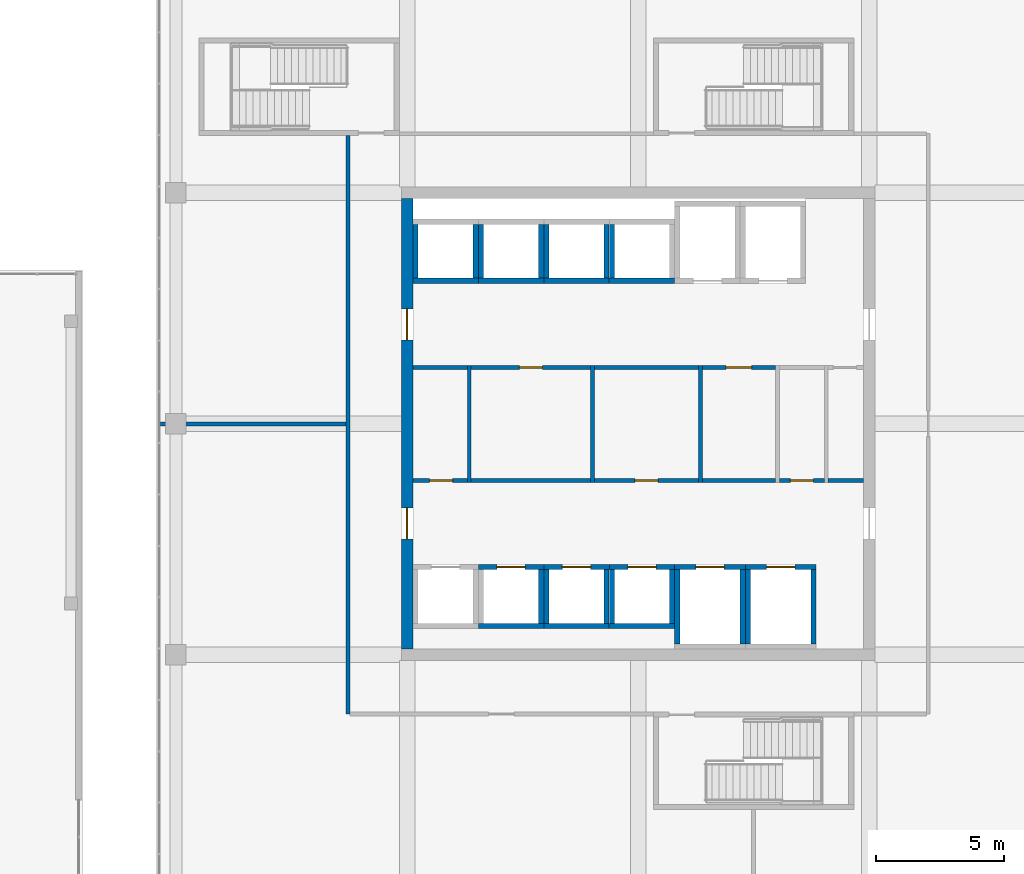
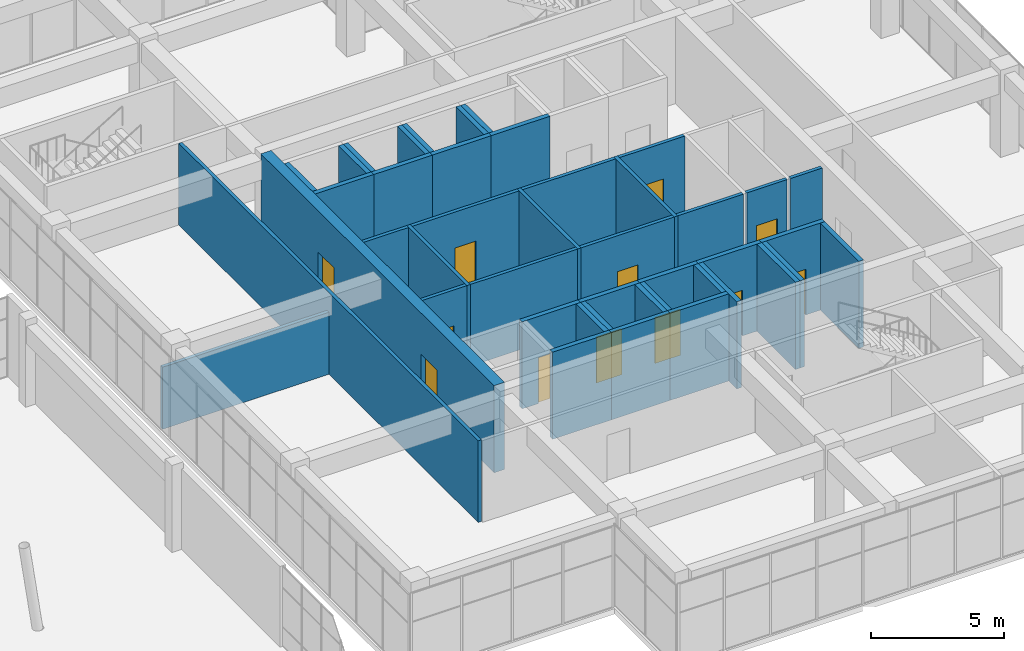
# One storey, part 57 of 65: 44 walls, 12 doors, 12 openings.
"""IFC4 building model written with IfcOpenShell, lengths in metres."""

from ifc_helpers import new_model, si_unit, direction, frame, frame_2d, origin, place, context, subcontext, project, spatial, rectangle, extrude, material, layer, layer_set, type_object, element, fill, save


model = new_model("IFC4")

# Units and contexts
model_context = context("Model", 3, precision=1e-05, world=origin(), true_north=direction((0.0, 1.0)))
body_context = subcontext(model_context, "Body", "Model", "MODEL_VIEW")
ifc_project = project(units=[si_unit("LENGTHUNIT", "METRE"), si_unit("AREAUNIT", "SQUARE_METRE"), si_unit("VOLUMEUNIT", "CUBIC_METRE"), si_unit("PLANEANGLEUNIT", "RADIAN"), si_unit("MASSUNIT", "GRAM", prefix="KILO")], contexts=[model_context])

# Site, building, storey
site_placement = place(None, origin())
site = spatial("IfcSite", under=ifc_project, at=site_placement, CompositionType="ELEMENT")
building_placement = place(site_placement, origin())
building = spatial("IfcBuilding", under=site, at=building_placement, Name="Tuart Plaza Theatre", CompositionType="ELEMENT")
storey_placement = place(building_placement, frame((0.0, 0.0, 9.5)))
storey = spatial("IfcBuildingStorey", under=building, at=storey_placement, Name="L02", CompositionType="ELEMENT", Elevation=9.5)

# Wall
ifc_material_1 = material(Name="Masonry block", Category="masonry")
ifc_layer_1 = layer(ifc_material_1, 0.14990234375)
ifc_layer_set_1 = layer_set([ifc_layer_1], Name="PARTITION BLK150 MASONRYB FRL -/120/120")
wall_type_1 = type_object("IfcWallType", Name="PARTITION BLK150 MASONRYB FRL -/120/120", PredefinedType="PARTITIONING", material=ifc_layer_set_1)
wall_1_placement = place(storey_placement, frame((125.425048828125, 71.72509765625, 0.0), z_axis=(0.0, 0.0, 1.0), x_axis=(0.0, 1.0, 0.0)))
element("IfcWall", 1, at=wall_1_placement, inside=storey, type_object=wall_type_1, Name="P582", PredefinedType="PARTITIONING", context=body_context, shape_type="SweptSolid", body=[
    extrude(rectangle(XDim=4.5498046875, YDim=0.14990234375, at=frame_2d((2.27490234375, 0.0))), origin(), (0.0, 0.0, 1.0), 3.75),
])

# Wall, opening, door
wall_2_placement = place(storey_placement, frame((123.22509765625, 71.800048828125, 0.0), z_axis=(0.0, 0.0, 1.0), x_axis=(1.0, 0.0, 0.0)))
wall_2 = element("IfcWall", 2, at=wall_2_placement, inside=storey, type_object=wall_type_1, Name="P583", PredefinedType="PARTITIONING", context=body_context, shape_type="SweptSolid", body=[
    extrude(rectangle(XDim=2.125, YDim=0.14990234375, at=frame_2d((1.0625, 0.0))), origin(), (0.0, 0.0, 1.0), 3.75),
])
opening_1_placement = place(wall_2_placement, frame((0.64990234375, 0.0, 0.0)))
opening_1 = element("IfcOpeningElement", 3, at=opening_1_placement, cuts=wall_2, Name="Opening L02-053", PredefinedType="OPENING", context=body_context, shape_type="SweptSolid", body=[
    extrude(rectangle(XDim=0.89990234375, YDim=2.10009765625, at=frame_2d((0.449951171875, 1.050048828125))), frame((0.0, 0.0849609375, 0.0), z_axis=(0.0, -1.0, 0.0), x_axis=(1.0, 0.0, 0.0)), (0.0, 0.0, 1.0), 0.169921875),
])
ifc_material_2 = material(Name="Steel Grade 300", Category="steel")
door_type_1 = type_object("IfcDoorType", Name="DOOR 900x2100 steel single swing FRL -/120/30", OperationType="SINGLE_SWING_LEFT", PredefinedType="DOOR", material=ifc_material_2)
door_1_placement = place(opening_1_placement, origin())
door_1 = element("IfcDoor", 4, at=door_1_placement, inside=storey, type_object=door_type_1, Name="L02-053", OperationType="SINGLE_SWING_LEFT", OverallHeight=2.10009765625, OverallWidth=0.89990234375, PredefinedType="DOOR", context=body_context, shape_type="SweptSolid", body=[
    extrude(rectangle(XDim=0.89990234375, YDim=2.10009765625, at=frame_2d((0.449951171875, 1.050048828125))), frame((0.0, 0.02490234375, 0.0), z_axis=(0.0, -1.0, 0.0), x_axis=(1.0, 0.0, 0.0)), (0.0, 0.0, 1.0), 0.050048828125),
])
fill(opening_1, door_1)

# Walls
wall_3_placement = place(storey_placement, frame((123.22509765625, 76.199951171875, 0.0), z_axis=(0.0, 0.0, 1.0), x_axis=(1.0, 0.0, 0.0)))
element("IfcWall", 5, at=wall_3_placement, inside=storey, type_object=wall_type_1, Name="P584", PredefinedType="PARTITIONING", context=body_context, shape_type="SweptSolid", body=[
    extrude(rectangle(XDim=2.125, YDim=0.14990234375, at=frame_2d((1.0625, 0.0))), origin(), (0.0, 0.0, 1.0), 3.75),
])
wall_4_placement = place(storey_placement, frame((130.22509765625, 71.72509765625, 0.0), z_axis=(0.0, 0.0, 1.0), x_axis=(0.0, 1.0, 0.0)))
element("IfcWall", 6, at=wall_4_placement, inside=storey, type_object=wall_type_1, Name="P585", PredefinedType="PARTITIONING", context=body_context, shape_type="SweptSolid", body=[
    extrude(rectangle(XDim=4.5498046875, YDim=0.14990234375, at=frame_2d((2.27490234375, 0.0))), origin(), (0.0, 0.0, 1.0), 3.75),
])
wall_5_placement = place(storey_placement, frame((125.5, 71.800048828125, 0.0), z_axis=(0.0, 0.0, 1.0), x_axis=(1.0, 0.0, 0.0)))
element("IfcWall", 7, at=wall_5_placement, inside=storey, type_object=wall_type_1, Name="P586", PredefinedType="PARTITIONING", context=body_context, shape_type="SweptSolid", body=[
    extrude(rectangle(XDim=4.64990234375, YDim=0.14990234375, at=frame_2d((2.324951171875, 0.0))), origin(), (0.0, 0.0, 1.0), 3.75),
])

# Wall, opening, door
wall_6_placement = place(storey_placement, frame((125.5, 76.199951171875, 0.0), z_axis=(0.0, 0.0, 1.0), x_axis=(1.0, 0.0, 0.0)))
wall_6 = element("IfcWall", 8, at=wall_6_placement, inside=storey, type_object=wall_type_1, Name="P587", PredefinedType="PARTITIONING", context=body_context, shape_type="SweptSolid", body=[
    extrude(rectangle(XDim=4.64990234375, YDim=0.14990234375, at=frame_2d((2.324951171875, 0.0))), origin(), (0.0, 0.0, 1.0), 3.75),
])
opening_2_placement = place(wall_6_placement, frame((1.875, 0.0, 0.0)))
opening_2 = element("IfcOpeningElement", 9, at=opening_2_placement, cuts=wall_6, Name="Opening L02-054", PredefinedType="OPENING", context=body_context, shape_type="SweptSolid", body=[
    extrude(rectangle(XDim=0.89990234375, YDim=2.10009765625, at=frame_2d((0.449951171875, 1.050048828125))), frame((0.0, 0.0849609375, 0.0), z_axis=(0.0, -1.0, 0.0), x_axis=(1.0, 0.0, 0.0)), (0.0, 0.0, 1.0), 0.169921875),
])
door_2_placement = place(opening_2_placement, frame((0.89990234375, 0.0, 0.0), z_axis=(0.0, 0.0, 1.0), x_axis=(-1.0, 0.0, 0.0)))
door_2 = element("IfcDoor", 10, at=door_2_placement, inside=storey, type_object=door_type_1, Name="L02-054", OperationType="SINGLE_SWING_LEFT", OverallHeight=2.10009765625, OverallWidth=0.89990234375, PredefinedType="DOOR", context=body_context, shape_type="SweptSolid", body=[
    extrude(rectangle(XDim=0.89990234375, YDim=2.10009765625, at=frame_2d((0.449951171875, 1.050048828125))), frame((0.0, 0.02490234375, 0.0), z_axis=(0.0, -1.0, 0.0), x_axis=(1.0, 0.0, 0.0)), (0.0, 0.0, 1.0), 0.050048828125),
])
fill(opening_2, door_2)

# Wall
wall_7_placement = place(storey_placement, frame((134.425048828125, 71.72509765625, 0.0), z_axis=(0.0, 0.0, 1.0), x_axis=(0.0, 1.0, 0.0)))
element("IfcWall", 11, at=wall_7_placement, inside=storey, type_object=wall_type_1, Name="P588", PredefinedType="PARTITIONING", context=body_context, shape_type="SweptSolid", body=[
    extrude(rectangle(XDim=4.5498046875, YDim=0.14990234375, at=frame_2d((2.27490234375, 0.0))), origin(), (0.0, 0.0, 1.0), 3.75),
])

# Wall, opening, door
wall_8_placement = place(storey_placement, frame((130.300048828125, 71.800048828125, 0.0), z_axis=(0.0, 0.0, 1.0), x_axis=(1.0, 0.0, 0.0)))
wall_8 = element("IfcWall", 12, at=wall_8_placement, inside=storey, type_object=wall_type_1, Name="P589", PredefinedType="PARTITIONING", context=body_context, shape_type="SweptSolid", body=[
    extrude(rectangle(XDim=4.050048828125, YDim=0.14990234375, at=frame_2d((2.02490234375, 0.0))), origin(), (0.0, 0.0, 1.0), 3.75),
])
opening_3_placement = place(wall_8_placement, frame((1.574951171875, 0.0, 0.0)))
opening_3 = element("IfcOpeningElement", 13, at=opening_3_placement, cuts=wall_8, Name="Opening L02-055", PredefinedType="OPENING", context=body_context, shape_type="SweptSolid", body=[
    extrude(rectangle(XDim=0.89990234375, YDim=2.10009765625, at=frame_2d((0.449951171875, 1.050048828125))), frame((0.0, 0.0849609375, 0.0), z_axis=(0.0, -1.0, 0.0), x_axis=(1.0, 0.0, 0.0)), (0.0, 0.0, 1.0), 0.169921875),
])
door_3_placement = place(opening_3_placement, origin())
door_3 = element("IfcDoor", 14, at=door_3_placement, inside=storey, type_object=door_type_1, Name="L02-055", OperationType="SINGLE_SWING_LEFT", OverallHeight=2.10009765625, OverallWidth=0.89990234375, PredefinedType="DOOR", context=body_context, shape_type="SweptSolid", body=[
    extrude(rectangle(XDim=0.89990234375, YDim=2.10009765625, at=frame_2d((0.449951171875, 1.050048828125))), frame((0.0, 0.02490234375, 0.0), z_axis=(0.0, -1.0, 0.0), x_axis=(1.0, 0.0, 0.0)), (0.0, 0.0, 1.0), 0.050048828125),
])
fill(opening_3, door_3)

# Walls
wall_9_placement = place(storey_placement, frame((130.300048828125, 76.199951171875, 0.0), z_axis=(0.0, 0.0, 1.0), x_axis=(1.0, 0.0, 0.0)))
element("IfcWall", 15, at=wall_9_placement, inside=storey, type_object=wall_type_1, Name="P590", PredefinedType="PARTITIONING", context=body_context, shape_type="SweptSolid", body=[
    extrude(rectangle(XDim=4.050048828125, YDim=0.14990234375, at=frame_2d((2.02490234375, 0.0))), origin(), (0.0, 0.0, 1.0), 3.75),
])
wall_10_placement = place(storey_placement, frame((134.5, 71.800048828125, 0.0), z_axis=(0.0, 0.0, 1.0), x_axis=(1.0, 0.0, 0.0)))
element("IfcWall", 16, at=wall_10_placement, inside=storey, type_object=wall_type_1, Name="P592", PredefinedType="PARTITIONING", context=body_context, shape_type="SweptSolid", body=[
    extrude(rectangle(XDim=2.85009765625, YDim=0.14990234375, at=frame_2d((1.425048828125, 0.0))), origin(), (0.0, 0.0, 1.0), 3.75),
])

# Wall, opening, door
wall_11_placement = place(storey_placement, frame((134.5, 76.199951171875, 0.0), z_axis=(0.0, 0.0, 1.0), x_axis=(1.0, 0.0, 0.0)))
wall_11 = element("IfcWall", 17, at=wall_11_placement, inside=storey, type_object=wall_type_1, Name="P593", PredefinedType="PARTITIONING", context=body_context, shape_type="SweptSolid", body=[
    extrude(rectangle(XDim=2.85009765625, YDim=0.14990234375, at=frame_2d((1.425048828125, 0.0))), origin(), (0.0, 0.0, 1.0), 3.75),
])
opening_4_placement = place(wall_11_placement, frame((0.925048828125, 0.0, 0.0)))
opening_4 = element("IfcOpeningElement", 18, at=opening_4_placement, cuts=wall_11, Name="Opening L02-056", PredefinedType="OPENING", context=body_context, shape_type="SweptSolid", body=[
    extrude(rectangle(XDim=1.0, YDim=2.10009765625, at=frame_2d((0.5, 1.050048828125))), frame((0.0, 0.0849609375, 0.0), z_axis=(0.0, -1.0, 0.0), x_axis=(1.0, 0.0, 0.0)), (0.0, 0.0, 1.0), 0.169921875),
])
ifc_material_3 = material(Name="Steel Grade 300", Category="steel")
door_type_2 = type_object("IfcDoorType", Name="DOOR 1000x2100 steel single swing FRL -/120/30", OperationType="SINGLE_SWING_LEFT", PredefinedType="DOOR", material=ifc_material_3)
door_4_placement = place(opening_4_placement, frame((1.0, 0.0, 0.0), z_axis=(0.0, 0.0, 1.0), x_axis=(-1.0, 0.0, 0.0)))
door_4 = element("IfcDoor", 19, at=door_4_placement, inside=storey, type_object=door_type_2, Name="L02-056", OperationType="SINGLE_SWING_LEFT", OverallHeight=2.10009765625, OverallWidth=1.0, PredefinedType="DOOR", context=body_context, shape_type="SweptSolid", body=[
    extrude(rectangle(XDim=1.0, YDim=2.10009765625, at=frame_2d((0.5, 1.050048828125))), frame((0.0, 0.02490234375, 0.0), z_axis=(0.0, -1.0, 0.0), x_axis=(1.0, 0.0, 0.0)), (0.0, 0.0, 1.0), 0.050048828125),
])
fill(opening_4, door_4)

wall_12_placement = place(storey_placement, frame((137.5, 71.800048828125, 0.0), z_axis=(0.0, 0.0, 1.0), x_axis=(1.0, 0.0, 0.0)))
wall_12 = element("IfcWall", 20, at=wall_12_placement, inside=storey, type_object=wall_type_1, Name="P595", PredefinedType="PARTITIONING", context=body_context, shape_type="SweptSolid", body=[
    extrude(rectangle(XDim=1.75, YDim=0.14990234375, at=frame_2d((0.875, 0.0))), origin(), (0.0, 0.0, 1.0), 3.75),
])
opening_5_placement = place(wall_12_placement, frame((0.425048828125, 0.0, 0.0)))
opening_5 = element("IfcOpeningElement", 21, at=opening_5_placement, cuts=wall_12, Name="Opening L02-057", PredefinedType="OPENING", context=body_context, shape_type="SweptSolid", body=[
    extrude(rectangle(XDim=0.89990234375, YDim=2.10009765625, at=frame_2d((0.449951171875, 1.050048828125))), frame((0.0, 0.0849609375, 0.0), z_axis=(0.0, -1.0, 0.0), x_axis=(1.0, 0.0, 0.0)), (0.0, 0.0, 1.0), 0.169921875),
])
door_5_placement = place(opening_5_placement, origin())
door_5 = element("IfcDoor", 22, at=door_5_placement, inside=storey, type_object=door_type_1, Name="L02-057", OperationType="SINGLE_SWING_LEFT", OverallHeight=2.10009765625, OverallWidth=0.89990234375, PredefinedType="DOOR", context=body_context, shape_type="SweptSolid", body=[
    extrude(rectangle(XDim=0.89990234375, YDim=2.10009765625, at=frame_2d((0.449951171875, 1.050048828125))), frame((0.0, 0.02490234375, 0.0), z_axis=(0.0, -1.0, 0.0), x_axis=(1.0, 0.0, 0.0)), (0.0, 0.0, 1.0), 0.050048828125),
])
fill(opening_5, door_5)

# Walls
wall_13_placement = place(storey_placement, frame((139.39990234375, 71.800048828125, 0.0), z_axis=(0.0, 0.0, 1.0), x_axis=(1.0, 0.0, 0.0)))
element("IfcWall", 23, at=wall_13_placement, inside=storey, type_object=wall_type_1, Name="P597", PredefinedType="PARTITIONING", context=body_context, shape_type="SweptSolid", body=[
    extrude(rectangle(XDim=1.375, YDim=0.14990234375, at=frame_2d((0.6875, 0.0))), origin(), (0.0, 0.0, 1.0), 3.75),
])
ifc_material_4 = material(Name="Masonry block", Category="masonry")
ifc_layer_2 = layer(ifc_material_4, 0.14990234375)
ifc_layer_set_2 = layer_set([ifc_layer_2], Name="PARTITION BLK150 MASONRYB FRL 120/-/-")
wall_type_2 = type_object("IfcWallType", Name="PARTITION BLK150 MASONRYB FRL 120/-/-", PredefinedType="PARTITIONING", material=ifc_layer_set_2)
wall_14_placement = place(storey_placement, frame((120.699951171875, 62.699951171875, 0.0), z_axis=(0.0, 0.0, 1.0), x_axis=(0.0, 1.0, 0.0)))
element("IfcWall", 24, at=wall_14_placement, inside=storey, type_object=wall_type_2, Name="P599", PredefinedType="PARTITIONING", context=body_context, shape_type="SweptSolid", body=[
    extrude(rectangle(XDim=22.525146484375, YDim=0.14990234375, at=frame_2d((11.2626953125, 0.0))), origin(), (0.0, 0.0, 1.0), 3.75),
])
wall_15_placement = place(storey_placement, frame((113.39990234375, 74.0, 0.0), z_axis=(0.0, 0.0, 1.0), x_axis=(1.0, 0.0, 0.0)))
element("IfcWall", 25, at=wall_15_placement, inside=storey, type_object=wall_type_2, Name="P606", PredefinedType="PARTITIONING", context=body_context, shape_type="SweptSolid", body=[
    extrude(rectangle(XDim=7.22607421875, YDim=0.14990234375, at=frame_2d((3.613037109375, 0.0))), origin(), (0.0, 0.0, 1.0), 2.85009765625),
])
ifc_material_5 = material(Name="Concrete N40 (40 MPa)", Category="concrete")
ifc_layer_3 = layer(ifc_material_5, 0.199951171875)
ifc_layer_set_3 = layer_set([ifc_layer_3], Name="SHEAR WALL RC200 FRL 120/120/120")
wall_type_3 = type_object("IfcWallType", Name="SHEAR WALL RC200 FRL 120/120/120", PredefinedType="SHEAR", material=ifc_layer_set_3)
wall_16_placement = place(storey_placement, frame((125.77490234375, 66.125, 0.0), z_axis=(0.0, 0.0, 1.0), x_axis=(1.0, 0.0, 0.0)))
element("IfcWall", 26, at=wall_16_placement, inside=storey, type_object=wall_type_3, Name="W602", PredefinedType="SHEAR", context=body_context, shape_type="SweptSolid", body=[
    extrude(rectangle(XDim=2.550048828125, YDim=0.199951171875, at=frame_2d((1.27490234375, 0.0))), origin(), (0.0, 0.0, 1.0), 4.0),
])
wall_17_placement = place(storey_placement, frame((128.22509765625, 66.22509765625, 0.0), z_axis=(0.0, 0.0, 1.0), x_axis=(0.0, 1.0, 0.0)))
element("IfcWall", 27, at=wall_17_placement, inside=storey, type_object=wall_type_3, Name="W603", PredefinedType="SHEAR", context=body_context, shape_type="SweptSolid", body=[
    extrude(rectangle(XDim=2.099853515625, YDim=0.199951171875, at=frame_2d((1.0498046875, 0.0))), origin(), (0.0, 0.0, 1.0), 4.0),
])

# Wall, opening, door
wall_18_placement = place(storey_placement, frame((128.324951171875, 68.425048828125, 0.0), z_axis=(0.0, 0.0, 1.0), x_axis=(-1.0, 0.0, 0.0)))
wall_18 = element("IfcWall", 28, at=wall_18_placement, inside=storey, type_object=wall_type_3, Name="W604", PredefinedType="SHEAR", context=body_context, shape_type="SweptSolid", body=[
    extrude(rectangle(XDim=2.550048828125, YDim=0.199951171875, at=frame_2d((1.27490234375, 0.0))), origin(), (0.0, 0.0, 1.0), 4.0),
])
opening_6_placement = place(wall_18_placement, frame((0.72509765625, 0.0, 0.0)))
opening_6 = element("IfcOpeningElement", 29, at=opening_6_placement, cuts=wall_18, Name="Opening L02-039", PredefinedType="OPENING", context=body_context, shape_type="SweptSolid", body=[
    extrude(rectangle(XDim=1.10009765625, YDim=2.10009765625, at=frame_2d((0.550048828125, 1.050048828125))), frame((0.0, 0.10986328125, 0.0), z_axis=(0.0, -1.0, 0.0), x_axis=(1.0, 0.0, 0.0)), (0.0, 0.0, 1.0), 0.219970703125),
])
ifc_material_6 = material(Name="Steel Grade 300", Category="steel")
door_type_3 = type_object("IfcDoorType", Name="LANDING DOOR 1100x2100 steel sliding FRL -/120/30", OperationType="SLIDING_TO_LEFT", PredefinedType="DOOR", material=ifc_material_6)
door_6_placement = place(opening_6_placement, origin())
door_6 = element("IfcDoor", 30, at=door_6_placement, inside=storey, type_object=door_type_3, Name="L02-039", OperationType="SLIDING_TO_LEFT", OverallHeight=2.10009765625, OverallWidth=1.10009765625, PredefinedType="DOOR", context=body_context, shape_type="SweptSolid", body=[
    extrude(rectangle(XDim=1.10009765625, YDim=2.10009765625, at=frame_2d((0.550048828125, 1.050048828125))), frame((0.0, 0.02490234375, 0.0), z_axis=(0.0, -1.0, 0.0), x_axis=(1.0, 0.0, 0.0)), (0.0, 0.0, 1.0), 0.050048828125),
])
fill(opening_6, door_6)

# Walls
wall_19_placement = place(storey_placement, frame((128.324951171875, 66.125, 0.0), z_axis=(0.0, 0.0, 1.0), x_axis=(1.0, 0.0, 0.0)))
element("IfcWall", 31, at=wall_19_placement, inside=storey, type_object=wall_type_3, Name="W646", PredefinedType="SHEAR", context=body_context, shape_type="SweptSolid", body=[
    extrude(rectangle(XDim=2.550048828125, YDim=0.199951171875, at=frame_2d((1.27490234375, 0.0))), origin(), (0.0, 0.0, 1.0), 4.0),
])
wall_20_placement = place(storey_placement, frame((130.77490234375, 66.22509765625, 0.0), z_axis=(0.0, 0.0, 1.0), x_axis=(0.0, 1.0, 0.0)))
element("IfcWall", 32, at=wall_20_placement, inside=storey, type_object=wall_type_3, Name="W647", PredefinedType="SHEAR", context=body_context, shape_type="SweptSolid", body=[
    extrude(rectangle(XDim=2.099853515625, YDim=0.199951171875, at=frame_2d((1.0498046875, 0.0))), origin(), (0.0, 0.0, 1.0), 4.0),
])

# Wall, opening, door
wall_21_placement = place(storey_placement, frame((130.875, 68.425048828125, 0.0), z_axis=(0.0, 0.0, 1.0), x_axis=(-1.0, 0.0, 0.0)))
wall_21 = element("IfcWall", 33, at=wall_21_placement, inside=storey, type_object=wall_type_3, Name="W648", PredefinedType="SHEAR", context=body_context, shape_type="SweptSolid", body=[
    extrude(rectangle(XDim=2.550048828125, YDim=0.199951171875, at=frame_2d((1.27490234375, 0.0))), origin(), (0.0, 0.0, 1.0), 4.0),
])
opening_7_placement = place(wall_21_placement, frame((0.72509765625, 0.0, 0.0)))
opening_7 = element("IfcOpeningElement", 34, at=opening_7_placement, cuts=wall_21, Name="Opening L02-040", PredefinedType="OPENING", context=body_context, shape_type="SweptSolid", body=[
    extrude(rectangle(XDim=1.10009765625, YDim=2.10009765625, at=frame_2d((0.550048828125, 1.050048828125))), frame((0.0, 0.10986328125, 0.0), z_axis=(0.0, -1.0, 0.0), x_axis=(1.0, 0.0, 0.0)), (0.0, 0.0, 1.0), 0.219970703125),
])
door_7_placement = place(opening_7_placement, origin())
door_7 = element("IfcDoor", 35, at=door_7_placement, inside=storey, type_object=door_type_3, Name="L02-040", OperationType="SLIDING_TO_LEFT", OverallHeight=2.10009765625, OverallWidth=1.10009765625, PredefinedType="DOOR", context=body_context, shape_type="SweptSolid", body=[
    extrude(rectangle(XDim=1.10009765625, YDim=2.10009765625, at=frame_2d((0.550048828125, 1.050048828125))), frame((0.0, 0.02490234375, 0.0), z_axis=(0.0, -1.0, 0.0), x_axis=(1.0, 0.0, 0.0)), (0.0, 0.0, 1.0), 0.050048828125),
])
fill(opening_7, door_7)

# Walls
wall_22_placement = place(storey_placement, frame((128.425048828125, 68.324951171875, 0.0), z_axis=(0.0, 0.0, 1.0), x_axis=(0.0, -1.0, 0.0)))
element("IfcWall", 36, at=wall_22_placement, inside=storey, type_object=wall_type_3, Name="W649", PredefinedType="SHEAR", context=body_context, shape_type="SweptSolid", body=[
    extrude(rectangle(XDim=2.099853515625, YDim=0.199951171875, at=frame_2d((1.0498046875, 0.0))), origin(), (0.0, 0.0, 1.0), 4.0),
])
wall_23_placement = place(storey_placement, frame((130.875, 66.125, 0.0), z_axis=(0.0, 0.0, 1.0), x_axis=(1.0, 0.0, 0.0)))
element("IfcWall", 37, at=wall_23_placement, inside=storey, type_object=wall_type_3, Name="W690", PredefinedType="SHEAR", context=body_context, shape_type="SweptSolid", body=[
    extrude(rectangle(XDim=2.550048828125, YDim=0.199951171875, at=frame_2d((1.27490234375, 0.0))), origin(), (0.0, 0.0, 1.0), 4.0),
])
wall_24_placement = place(storey_placement, frame((133.324951171875, 66.22509765625, 0.0), z_axis=(0.0, 0.0, 1.0), x_axis=(0.0, 1.0, 0.0)))
element("IfcWall", 38, at=wall_24_placement, inside=storey, type_object=wall_type_3, Name="W691", PredefinedType="SHEAR", context=body_context, shape_type="SweptSolid", body=[
    extrude(rectangle(XDim=2.099853515625, YDim=0.199951171875, at=frame_2d((1.0498046875, 0.0))), origin(), (0.0, 0.0, 1.0), 4.0),
])

# Wall, opening, door
wall_25_placement = place(storey_placement, frame((133.425048828125, 68.425048828125, 0.0), z_axis=(0.0, 0.0, 1.0), x_axis=(-1.0, 0.0, 0.0)))
wall_25 = element("IfcWall", 39, at=wall_25_placement, inside=storey, type_object=wall_type_3, Name="W692", PredefinedType="SHEAR", context=body_context, shape_type="SweptSolid", body=[
    extrude(rectangle(XDim=2.550048828125, YDim=0.199951171875, at=frame_2d((1.27490234375, 0.0))), origin(), (0.0, 0.0, 1.0), 4.0),
])
opening_8_placement = place(wall_25_placement, frame((0.72509765625, 0.0, 0.0)))
opening_8 = element("IfcOpeningElement", 40, at=opening_8_placement, cuts=wall_25, Name="Opening L02-041", PredefinedType="OPENING", context=body_context, shape_type="SweptSolid", body=[
    extrude(rectangle(XDim=1.10009765625, YDim=2.10009765625, at=frame_2d((0.550048828125, 1.050048828125))), frame((0.0, 0.10986328125, 0.0), z_axis=(0.0, -1.0, 0.0), x_axis=(1.0, 0.0, 0.0)), (0.0, 0.0, 1.0), 0.219970703125),
])
door_8_placement = place(opening_8_placement, origin())
door_8 = element("IfcDoor", 41, at=door_8_placement, inside=storey, type_object=door_type_3, Name="L02-041", OperationType="SLIDING_TO_LEFT", OverallHeight=2.10009765625, OverallWidth=1.10009765625, PredefinedType="DOOR", context=body_context, shape_type="SweptSolid", body=[
    extrude(rectangle(XDim=1.10009765625, YDim=2.10009765625, at=frame_2d((0.550048828125, 1.050048828125))), frame((0.0, 0.02490234375, 0.0), z_axis=(0.0, -1.0, 0.0), x_axis=(1.0, 0.0, 0.0)), (0.0, 0.0, 1.0), 0.050048828125),
])
fill(opening_8, door_8)

# Walls
wall_26_placement = place(storey_placement, frame((130.97509765625, 68.324951171875, 0.0), z_axis=(0.0, 0.0, 1.0), x_axis=(0.0, -1.0, 0.0)))
element("IfcWall", 42, at=wall_26_placement, inside=storey, type_object=wall_type_3, Name="W693", PredefinedType="SHEAR", context=body_context, shape_type="SweptSolid", body=[
    extrude(rectangle(XDim=2.099853515625, YDim=0.199951171875, at=frame_2d((1.0498046875, 0.0))), origin(), (0.0, 0.0, 1.0), 4.0),
])
wall_27_placement = place(storey_placement, frame((123.22509765625, 79.574951171875, 0.0), z_axis=(0.0, 0.0, 1.0), x_axis=(1.0, 0.0, 0.0)))
element("IfcWall", 43, at=wall_27_placement, inside=storey, type_object=wall_type_3, Name="W734", PredefinedType="SHEAR", context=body_context, shape_type="SweptSolid", body=[
    extrude(rectangle(XDim=2.5498046875, YDim=0.199951171875, at=frame_2d((1.27490234375, 0.0))), origin(), (0.0, 0.0, 1.0), 4.0),
])
for number, where, z_axis, x_axis, name in (
    (44, (125.675048828125, 79.675048828125, 0.0), (0.0, 0.0, 1.0), (0.0, 1.0, 0.0), "W735"),
    (45, (123.324951171875, 81.77490234375, 0.0), (0.0, 0.0, 1.0), (0.0, -1.0, 0.0), "W737"),
):
    element("IfcWall", number, at=place(storey_placement, frame(where, z_axis=z_axis, x_axis=x_axis)), inside=storey, type_object=wall_type_3, Name=name, PredefinedType="SHEAR", context=body_context, shape_type="SweptSolid", body=[
        extrude(rectangle(XDim=2.099853515625, YDim=0.199951171875, at=frame_2d((1.0498046875, 0.0))), origin(), (0.0, 0.0, 1.0), 4.0),
    ])
wall_28_placement = place(storey_placement, frame((125.77490234375, 79.574951171875, 0.0), z_axis=(0.0, 0.0, 1.0), x_axis=(1.0, 0.0, 0.0)))
element("IfcWall", 46, at=wall_28_placement, inside=storey, type_object=wall_type_3, Name="W806", PredefinedType="SHEAR", context=body_context, shape_type="SweptSolid", body=[
    extrude(rectangle(XDim=2.550048828125, YDim=0.199951171875, at=frame_2d((1.27490234375, 0.0))), origin(), (0.0, 0.0, 1.0), 4.0),
])
for number, where, z_axis, x_axis, name in (
    (47, (128.22509765625, 79.675048828125, 0.0), (0.0, 0.0, 1.0), (0.0, 1.0, 0.0), "W807"),
    (48, (125.875, 81.77490234375, 0.0), (0.0, 0.0, 1.0), (0.0, -1.0, 0.0), "W809"),
):
    element("IfcWall", number, at=place(storey_placement, frame(where, z_axis=z_axis, x_axis=x_axis)), inside=storey, type_object=wall_type_3, Name=name, PredefinedType="SHEAR", context=body_context, shape_type="SweptSolid", body=[
        extrude(rectangle(XDim=2.099853515625, YDim=0.199951171875, at=frame_2d((1.0498046875, 0.0))), origin(), (0.0, 0.0, 1.0), 4.0),
    ])
wall_29_placement = place(storey_placement, frame((128.324951171875, 79.574951171875, 0.0), z_axis=(0.0, 0.0, 1.0), x_axis=(1.0, 0.0, 0.0)))
element("IfcWall", 49, at=wall_29_placement, inside=storey, type_object=wall_type_3, Name="W878", PredefinedType="SHEAR", context=body_context, shape_type="SweptSolid", body=[
    extrude(rectangle(XDim=2.550048828125, YDim=0.199951171875, at=frame_2d((1.27490234375, 0.0))), origin(), (0.0, 0.0, 1.0), 4.0),
])
for number, where, z_axis, x_axis, name in (
    (50, (130.77490234375, 79.675048828125, 0.0), (0.0, 0.0, 1.0), (0.0, 1.0, 0.0), "W879"),
    (51, (128.425048828125, 81.77490234375, 0.0), (0.0, 0.0, 1.0), (0.0, -1.0, 0.0), "W881"),
):
    element("IfcWall", number, at=place(storey_placement, frame(where, z_axis=z_axis, x_axis=x_axis)), inside=storey, type_object=wall_type_3, Name=name, PredefinedType="SHEAR", context=body_context, shape_type="SweptSolid", body=[
        extrude(rectangle(XDim=2.099853515625, YDim=0.199951171875, at=frame_2d((1.0498046875, 0.0))), origin(), (0.0, 0.0, 1.0), 4.0),
    ])
wall_30_placement = place(storey_placement, frame((130.875, 79.574951171875, 0.0), z_axis=(0.0, 0.0, 1.0), x_axis=(1.0, 0.0, 0.0)))
element("IfcWall", 52, at=wall_30_placement, inside=storey, type_object=wall_type_3, Name="W950", PredefinedType="SHEAR", context=body_context, shape_type="SweptSolid", body=[
    extrude(rectangle(XDim=2.550048828125, YDim=0.199951171875, at=frame_2d((1.27490234375, 0.0))), origin(), (0.0, 0.0, 1.0), 4.0),
])
wall_31_placement = place(storey_placement, frame((130.97509765625, 81.77490234375, 0.0), z_axis=(0.0, 0.0, 1.0), x_axis=(0.0, -1.0, 0.0)))
element("IfcWall", 53, at=wall_31_placement, inside=storey, type_object=wall_type_3, Name="W953", PredefinedType="SHEAR", context=body_context, shape_type="SweptSolid", body=[
    extrude(rectangle(XDim=2.099853515625, YDim=0.199951171875, at=frame_2d((1.0498046875, 0.0))), origin(), (0.0, 0.0, 1.0), 4.0),
])
wall_32_placement = place(storey_placement, frame((136.074951171875, 65.425048828125, 0.0), z_axis=(0.0, 0.0, 1.0), x_axis=(0.0, 1.0, 0.0)))
element("IfcWall", 54, at=wall_32_placement, inside=storey, type_object=wall_type_3, Name="W1023", PredefinedType="SHEAR", context=body_context, shape_type="SweptSolid", body=[
    extrude(rectangle(XDim=2.89990234375, YDim=0.199951171875, at=frame_2d((1.449951171875, 0.0))), origin(), (0.0, 0.0, 1.0), 4.0),
])

# Wall, opening, door
wall_33_placement = place(storey_placement, frame((136.175048828125, 68.425048828125, 0.0), z_axis=(0.0, 0.0, 1.0), x_axis=(-1.0, 0.0, 0.0)))
wall_33 = element("IfcWall", 55, at=wall_33_placement, inside=storey, type_object=wall_type_3, Name="W1024", PredefinedType="SHEAR", context=body_context, shape_type="SweptSolid", body=[
    extrude(rectangle(XDim=2.75, YDim=0.199951171875, at=frame_2d((1.375, 0.0))), origin(), (0.0, 0.0, 1.0), 4.0),
])
opening_9_placement = place(wall_33_placement, frame((0.824951171875, 0.0, 0.0)))
opening_9 = element("IfcOpeningElement", 56, at=opening_9_placement, cuts=wall_33, Name="Opening L02-042", PredefinedType="OPENING", context=body_context, shape_type="SweptSolid", body=[
    extrude(rectangle(XDim=1.10009765625, YDim=2.10009765625, at=frame_2d((0.550048828125, 1.050048828125))), frame((0.0, 0.10986328125, 0.0), z_axis=(0.0, -1.0, 0.0), x_axis=(1.0, 0.0, 0.0)), (0.0, 0.0, 1.0), 0.219970703125),
])
door_9_placement = place(opening_9_placement, origin())
door_9 = element("IfcDoor", 57, at=door_9_placement, inside=storey, type_object=door_type_3, Name="L02-042", OperationType="SLIDING_TO_LEFT", OverallHeight=2.10009765625, OverallWidth=1.10009765625, PredefinedType="DOOR", context=body_context, shape_type="SweptSolid", body=[
    extrude(rectangle(XDim=1.10009765625, YDim=2.10009765625, at=frame_2d((0.550048828125, 1.050048828125))), frame((0.0, 0.02490234375, 0.0), z_axis=(0.0, -1.0, 0.0), x_axis=(1.0, 0.0, 0.0)), (0.0, 0.0, 1.0), 0.050048828125),
])
fill(opening_9, door_9)

# Walls
for number, where, z_axis, x_axis, name in (
    (58, (133.52490234375, 68.324951171875, 0.0), (0.0, 0.0, 1.0), (0.0, -1.0, 0.0), "W1025"),
    (59, (138.824951171875, 65.425048828125, 0.0), (0.0, 0.0, 1.0), (0.0, 1.0, 0.0), "W1099"),
):
    element("IfcWall", number, at=place(storey_placement, frame(where, z_axis=z_axis, x_axis=x_axis)), inside=storey, type_object=wall_type_3, Name=name, PredefinedType="SHEAR", context=body_context, shape_type="SweptSolid", body=[
        extrude(rectangle(XDim=2.89990234375, YDim=0.199951171875, at=frame_2d((1.449951171875, 0.0))), origin(), (0.0, 0.0, 1.0), 4.0),
    ])

# Wall, opening, door
wall_34_placement = place(storey_placement, frame((138.925048828125, 68.425048828125, 0.0), z_axis=(0.0, 0.0, 1.0), x_axis=(-1.0, 0.0, 0.0)))
wall_34 = element("IfcWall", 60, at=wall_34_placement, inside=storey, type_object=wall_type_3, Name="W1100", PredefinedType="SHEAR", context=body_context, shape_type="SweptSolid", body=[
    extrude(rectangle(XDim=2.75, YDim=0.199951171875, at=frame_2d((1.375, 0.0))), origin(), (0.0, 0.0, 1.0), 4.0),
])
opening_10_placement = place(wall_34_placement, frame((0.824951171875, 0.0, 0.0)))
opening_10 = element("IfcOpeningElement", 61, at=opening_10_placement, cuts=wall_34, Name="Opening L02-043", PredefinedType="OPENING", context=body_context, shape_type="SweptSolid", body=[
    extrude(rectangle(XDim=1.10009765625, YDim=2.10009765625, at=frame_2d((0.550048828125, 1.050048828125))), frame((0.0, 0.10986328125, 0.0), z_axis=(0.0, -1.0, 0.0), x_axis=(1.0, 0.0, 0.0)), (0.0, 0.0, 1.0), 0.219970703125),
])
door_10_placement = place(opening_10_placement, origin())
door_10 = element("IfcDoor", 62, at=door_10_placement, inside=storey, type_object=door_type_3, Name="L02-043", OperationType="SLIDING_TO_LEFT", OverallHeight=2.10009765625, OverallWidth=1.10009765625, PredefinedType="DOOR", context=body_context, shape_type="SweptSolid", body=[
    extrude(rectangle(XDim=1.10009765625, YDim=2.10009765625, at=frame_2d((0.550048828125, 1.050048828125))), frame((0.0, 0.02490234375, 0.0), z_axis=(0.0, -1.0, 0.0), x_axis=(1.0, 0.0, 0.0)), (0.0, 0.0, 1.0), 0.050048828125),
])
fill(opening_10, door_10)

# Wall
wall_35_placement = place(storey_placement, frame((136.27490234375, 68.324951171875, 0.0), z_axis=(0.0, 0.0, 1.0), x_axis=(0.0, -1.0, 0.0)))
element("IfcWall", 63, at=wall_35_placement, inside=storey, type_object=wall_type_3, Name="W1101", PredefinedType="SHEAR", context=body_context, shape_type="SweptSolid", body=[
    extrude(rectangle(XDim=2.89990234375, YDim=0.199951171875, at=frame_2d((1.449951171875, 0.0))), origin(), (0.0, 0.0, 1.0), 4.0),
])

# Wall, openings, doors
ifc_material_7 = material(Name="Concrete N50 (50 MPa)", Category="concrete")
ifc_layer_4 = layer(ifc_material_7, 0.449951171875)
ifc_layer_set_4 = layer_set([ifc_layer_4], Name="SHEAR WALL RC450 N50 FRL 120/120/120")
wall_type_4 = type_object("IfcWallType", Name="SHEAR WALL RC450 N50 FRL 120/120/120", PredefinedType="SHEAR", material=ifc_layer_set_4)
wall_36_placement = place(storey_placement, frame((123.0, 82.77490234375, 0.0), z_axis=(0.0, 0.0, 1.0), x_axis=(0.0, -1.0, 0.0)))
wall_36 = element("IfcWall", 64, at=wall_36_placement, inside=storey, type_object=wall_type_4, Name="W366", PredefinedType="SHEAR", context=body_context, shape_type="SweptSolid", body=[
    extrude(rectangle(XDim=17.5498046875, YDim=0.449951171875, at=frame_2d((8.77490234375, 0.0))), origin(), (0.0, 0.0, 1.0), 4.0),
])
opening_11_placement = place(wall_36_placement, frame((12.050048828125, 0.0, 0.0)))
opening_11 = element("IfcOpeningElement", 65, at=opening_11_placement, cuts=wall_36, Name="Opening L02-049", PredefinedType="OPENING", context=body_context, shape_type="SweptSolid", body=[
    extrude(rectangle(XDim=1.199951171875, YDim=2.10009765625, at=frame_2d((0.60009765625, 1.050048828125))), frame((0.0, 0.23486328125, 0.0), z_axis=(0.0, -1.0, 0.0), x_axis=(1.0, 0.0, 0.0)), (0.0, 0.0, 1.0), 0.469970703125),
])
opening_12_placement = place(wall_36_placement, frame((4.300048828125, 0.0, 0.0)))
opening_12 = element("IfcOpeningElement", 66, at=opening_12_placement, cuts=wall_36, Name="Opening L02-051", PredefinedType="OPENING", context=body_context, shape_type="SweptSolid", body=[
    extrude(rectangle(XDim=1.199951171875, YDim=2.10009765625, at=frame_2d((0.60009765625, 1.050048828125))), frame((0.0, 0.23486328125, 0.0), z_axis=(0.0, -1.0, 0.0), x_axis=(1.0, 0.0, 0.0)), (0.0, 0.0, 1.0), 0.469970703125),
])
ifc_material_8 = material(Name="Steel Grade 300", Category="steel")
door_type_4 = type_object("IfcDoorType", Name="DOOR 1200x2100 steel single swing FRL -/120/30", OperationType="SINGLE_SWING_LEFT", PredefinedType="DOOR", material=ifc_material_8)
door_11_placement = place(opening_11_placement, frame((1.199951171875, 0.0, 0.0), z_axis=(0.0, 0.0, 1.0), x_axis=(-1.0, 0.0, 0.0)))
door_11 = element("IfcDoor", 67, at=door_11_placement, inside=storey, type_object=door_type_4, Name="L02-049", OperationType="SINGLE_SWING_RIGHT", OverallHeight=2.10009765625, OverallWidth=1.199951171875, PredefinedType="DOOR", context=body_context, shape_type="SweptSolid", body=[
    extrude(rectangle(XDim=1.199951171875, YDim=2.10009765625, at=frame_2d((0.60009765625, 1.050048828125))), frame((0.0, 0.02490234375, 0.0), z_axis=(0.0, -1.0, 0.0), x_axis=(1.0, 0.0, 0.0)), (0.0, 0.0, 1.0), 0.050048828125),
])
fill(opening_11, door_11)
door_12_placement = place(opening_12_placement, frame((1.199951171875, 0.0, 0.0), z_axis=(0.0, 0.0, 1.0), x_axis=(-1.0, 0.0, 0.0)))
door_12 = element("IfcDoor", 68, at=door_12_placement, inside=storey, type_object=door_type_4, Name="L02-051", OperationType="SINGLE_SWING_LEFT", OverallHeight=2.10009765625, OverallWidth=1.199951171875, PredefinedType="DOOR", context=body_context, shape_type="SweptSolid", body=[
    extrude(rectangle(XDim=1.199951171875, YDim=2.10009765625, at=frame_2d((0.60009765625, 1.050048828125))), frame((0.0, 0.02490234375, 0.0), z_axis=(0.0, -1.0, 0.0), x_axis=(1.0, 0.0, 0.0)), (0.0, 0.0, 1.0), 0.050048828125),
])
fill(opening_12, door_12)

save(model, "model.ifc")
